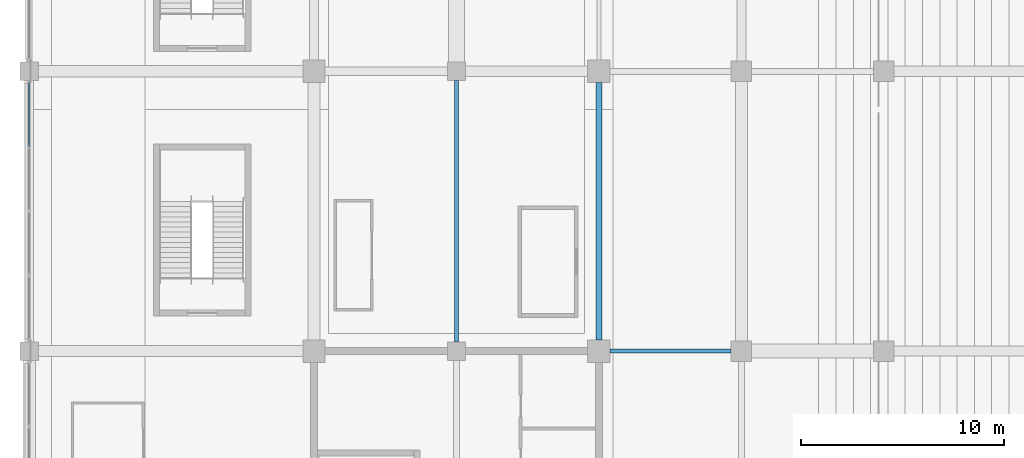
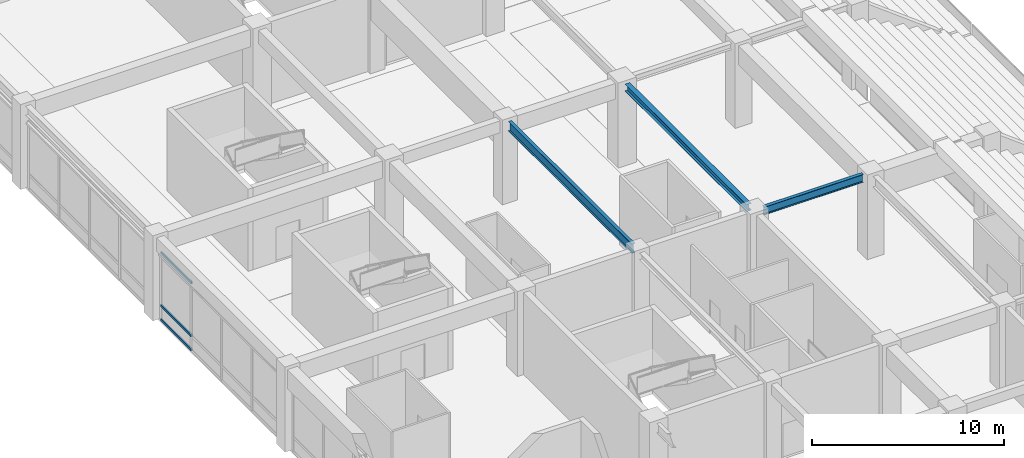
# One storey, part 40 of 117: 3 beams, 3 members, 1 element without a shape of its own.
"""IFC4 building model written with IfcOpenShell, lengths in metres."""

from ifc_helpers import new_model, si_unit, direction, frame, origin, origin_2d, place, context, subcontext, project, spatial, hollow_rectangle, i_section, extrude, material, material_profile, profile_set, type_object, element, aggregate, save


model = new_model("IFC4")

# Units and contexts
model_context = context("Model", 3, precision=1e-05, world=origin(), true_north=direction((0.0, 1.0)))
body_context = subcontext(model_context, "Body", "Model", "MODEL_VIEW")
ifc_project = project(units=[si_unit("LENGTHUNIT", "METRE"), si_unit("AREAUNIT", "SQUARE_METRE"), si_unit("VOLUMEUNIT", "CUBIC_METRE"), si_unit("PLANEANGLEUNIT", "RADIAN"), si_unit("MASSUNIT", "GRAM", prefix="KILO")], contexts=[model_context])

# Site, building, storey
site_placement = place(None, origin())
site = spatial("IfcSite", under=ifc_project, at=site_placement, CompositionType="ELEMENT")
building_placement = place(site_placement, origin())
building = spatial("IfcBuilding", under=site, at=building_placement, Name="Linyun Crest Stadium", CompositionType="ELEMENT")
storey_placement = place(building_placement, frame((0.0, 0.0, 6.0)))
storey = spatial("IfcBuildingStorey", under=building, at=storey_placement, Name="L02", CompositionType="ELEMENT", Elevation=6.0)

# Beams
ifc_material_1 = material(Name="Steel Q355C", Category="steel")
ifc_material_profile_1 = material_profile(ifc_material_1, i_section(OverallWidth=0.300048828125, OverallDepth=0.43994140625, WebThickness=0.010986328125, FlangeThickness=0.01806640625, at=origin_2d()), Name="HM 440x300")
ifc_profile_set_1 = profile_set([ifc_material_profile_1], Name="Steel Q355C")
beam_type_1 = type_object("IfcBeamType", Name="B07", PredefinedType="BEAM", material=ifc_profile_set_1)
beam_1_placement = place(storey_placement, frame((-70.0, -24.824951171875, 4.97998046875), z_axis=(0.0, 1.0, 0.0), x_axis=(-1.0, 0.0, 0.0)))
element("IfcBeam", 1, at=beam_1_placement, inside=storey, type_object=beam_type_1, Name="Frame beam B07 L02 217", PredefinedType="BEAM", context=body_context, shape_type="SweptSolid", body=[
    extrude(i_section(OverallWidth=0.300048828125, OverallDepth=0.43994140625, WebThickness=0.010986328125, FlangeThickness=0.01806640625, at=origin_2d()), origin(), (0.0, 0.0, 1.0), 12.64990234375),
])
ifc_material_2 = material(Name="Steel Q355C", Category="steel")
ifc_material_profile_2 = material_profile(ifc_material_2, i_section(OverallWidth=0.199951171875, OverallDepth=0.5, WebThickness=0.010009765625, FlangeThickness=0.01611328125, at=origin_2d()), Name="HN 500x200")
ifc_profile_set_2 = profile_set([ifc_material_profile_2], Name="Steel Q355C")
beam_type_2 = type_object("IfcBeamType", Name="B10", PredefinedType="BEAM", material=ifc_profile_set_2)
beam_2_placement = place(storey_placement, frame((-69.449951171875, -25.375, 4.949951171875), z_axis=(1.0, 0.0, 0.0), x_axis=(0.0, 1.0, 0.0)))
element("IfcBeam", 2, at=beam_2_placement, inside=storey, type_object=beam_type_2, Name="Frame beam B10 L02 177", PredefinedType="BEAM", context=body_context, shape_type="SweptSolid", body=[
    extrude(i_section(OverallWidth=0.199951171875, OverallDepth=0.5, WebThickness=0.010009765625, FlangeThickness=0.01611328125, at=origin_2d()), origin(), (0.0, 0.0, 1.0), 5.949951171875),
])
ifc_material_3 = material(Name="Steel Q355C", Category="steel")
ifc_material_profile_3 = material_profile(ifc_material_3, i_section(OverallWidth=0.199951171875, OverallDepth=0.60009765625, WebThickness=0.010986328125, FlangeThickness=0.01708984375, at=origin_2d()), Name="HN 600x200")
ifc_profile_set_3 = profile_set([ifc_material_profile_3], Name="Steel Q355C")
beam_type_3 = type_object("IfcBeamType", Name="B11", PredefinedType="BEAM", material=ifc_profile_set_3)
beam_3_placement = place(storey_placement, frame((-77.0, -24.925048828125, 4.89990234375), z_axis=(0.0, 1.0, 0.0), x_axis=(-1.0, 0.0, 0.0)))
element("IfcBeam", 3, at=beam_3_placement, inside=storey, type_object=beam_type_3, Name="Frame beam B11 L02 211", PredefinedType="BEAM", context=body_context, shape_type="SweptSolid", body=[
    extrude(i_section(OverallWidth=0.199951171875, OverallDepth=0.60009765625, WebThickness=0.010986328125, FlangeThickness=0.01708984375, at=origin_2d()), origin(), (0.0, 0.0, 1.0), 12.85009765625),
])

# Curtain wall, members
ifc_material_4 = material(Name="Verdigris steel and low-E curtain wall assembly", Category="steel")
curtain_wall_type = type_object("IfcCurtainWallType", Name="MCW01", PredefinedType="NOTDEFINED", material=ifc_material_4)
curtain_wall_placement = place(storey_placement, origin())
curtain_wall = element("IfcCurtainWall", 4, at=curtain_wall_placement, inside=storey, type_object=curtain_wall_type, Name="CWR-082", PredefinedType="NOTDEFINED")
ifc_material_5 = material(Name="Aluminium thermally broken transom", Category="aluminium")
ifc_material_profile_4 = material_profile(ifc_material_5, hollow_rectangle(XDim=0.080078125, YDim=0.159912109375, WallThickness=0.006103515625, at=origin_2d()), Name="RHS 160x80x6")
ifc_profile_set_4 = profile_set([ifc_material_profile_4], Name="Aluminium thermally broken transom")
member_type = type_object("IfcMemberType", Name="TR01", PredefinedType="USERDEFINED", material=ifc_profile_set_4)
member_1_placement = place(storey_placement, frame((-98.0, -15.337890625, 0.0), z_axis=(0.0, 1.0, 0.0), x_axis=(-1.0, 0.0, 0.0)))
member_1 = element("IfcMember", 5, at=member_1_placement, type_object=member_type, Name="CWR-082 transom 4.1", ObjectType="TRANSOM", PredefinedType="USERDEFINED", context=body_context, shape_type="SweptSolid", body=[
    extrude(hollow_rectangle(XDim=0.080078125, YDim=0.159912109375, WallThickness=0.006103515625, at=origin_2d()), origin(), (0.0, 0.0, 1.0), 3.162841796875),
])
member_2_placement = place(storey_placement, frame((-98.0, -15.337890625, 0.89990234375), z_axis=(0.0, 1.0, 0.0), x_axis=(-1.0, 0.0, 0.0)))
member_2 = element("IfcMember", 6, at=member_2_placement, type_object=member_type, Name="CWR-082 transom 4.2", ObjectType="TRANSOM", PredefinedType="USERDEFINED", context=body_context, shape_type="SweptSolid", body=[
    extrude(hollow_rectangle(XDim=0.080078125, YDim=0.159912109375, WallThickness=0.006103515625, at=origin_2d()), origin(), (0.0, 0.0, 1.0), 3.162841796875),
])
member_3_placement = place(storey_placement, frame((-98.0, -15.337890625, 4.25), z_axis=(0.0, 1.0, 0.0), x_axis=(-1.0, 0.0, 0.0)))
member_3 = element("IfcMember", 7, at=member_3_placement, type_object=member_type, Name="CWR-082 transom 4.3", ObjectType="TRANSOM", PredefinedType="USERDEFINED", context=body_context, shape_type="SweptSolid", body=[
    extrude(hollow_rectangle(XDim=0.080078125, YDim=0.159912109375, WallThickness=0.006103515625, at=origin_2d()), origin(), (0.0, 0.0, 1.0), 3.162841796875),
])
aggregate(curtain_wall, [member_1, member_2, member_3])

save(model, "model.ifc")
